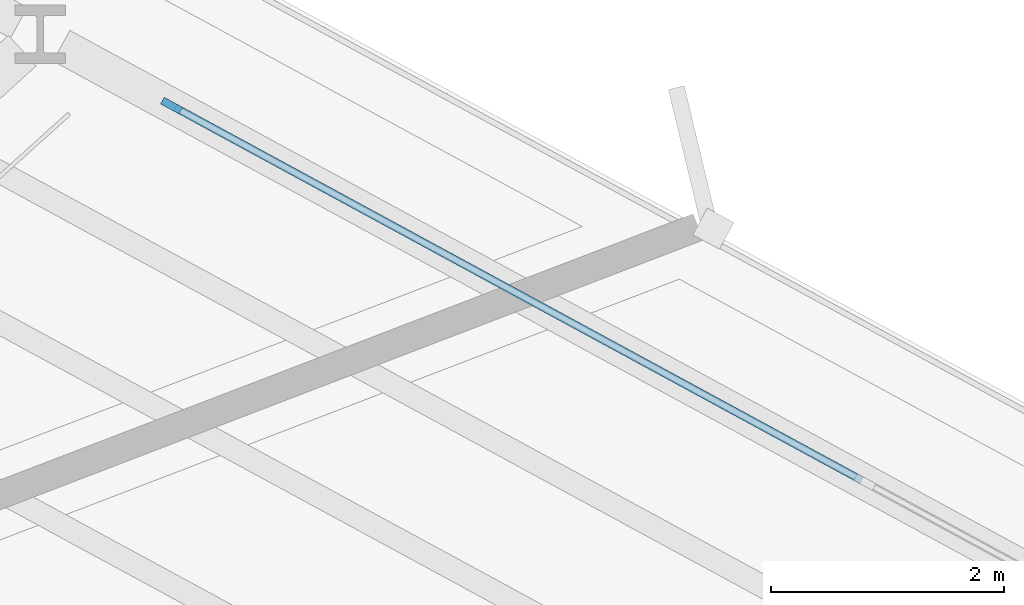
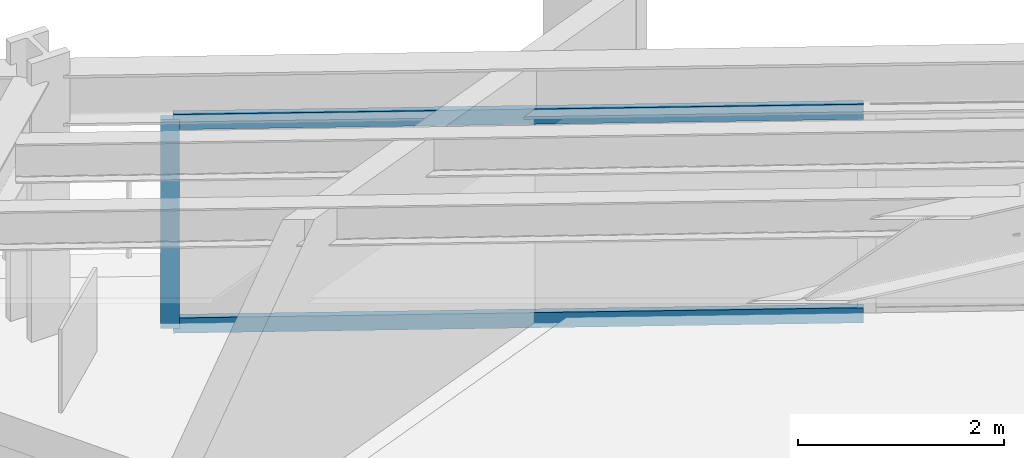
# One storey, part 6 of 14: 3 members, 1 element without a shape of its own.
"""IFC4 building model written with IfcOpenShell, lengths in metres."""

from ifc_helpers import new_model, si_unit, direction, frame, origin, origin_2d, place, context, subcontext, project, spatial, rectangle, extrude, material, layer, layer_set, material_profile, profile_set, type_object, element, aggregate, save


model = new_model("IFC4")

# Units and contexts
model_context = context("Model", 3, precision=1e-05, world=origin(), true_north=direction((0.0, 1.0)))
body_context = subcontext(model_context, "Body", "Model", "MODEL_VIEW")
ifc_project = project(units=[si_unit("LENGTHUNIT", "METRE"), si_unit("AREAUNIT", "SQUARE_METRE"), si_unit("VOLUMEUNIT", "CUBIC_METRE"), si_unit("PLANEANGLEUNIT", "RADIAN"), si_unit("MASSUNIT", "GRAM", prefix="KILO")], contexts=[model_context])

# Site, building, storey
site_placement = place(None, origin())
site = spatial("IfcSite", under=ifc_project, at=site_placement, CompositionType="ELEMENT")
building_placement = place(site_placement, origin())
building = spatial("IfcBuilding", under=site, at=building_placement, Name="Rocaltana Carrier Exchange", CompositionType="ELEMENT")
storey_placement = place(building_placement, frame((0.0, 0.0, 22.239990234375)))
storey = spatial("IfcBuildingStorey", under=building, at=storey_placement, Name="L07", CompositionType="ELEMENT", Elevation=22.239990234375)

# Curtain wall, members
ifc_material_1 = material(Name="Aluminium 6063-T6", Category="aluminium")
ifc_layer = layer(ifc_material_1, 0.179931640625)
ifc_layer_set = layer_set([ifc_layer], Name="Aluminium 6063-T6")
curtain_wall_type = type_object("IfcCurtainWallType", Name="Sandstone Spandrel Unitised Curtain Wall CW-01", PredefinedType="NOTDEFINED", material=ifc_layer_set)
curtain_wall_placement = place(storey_placement, origin())
curtain_wall = element("IfcCurtainWall", 1, at=curtain_wall_placement, inside=storey, type_object=curtain_wall_type, Name="L07 CW-01 Run CW-L07-F1S1", PredefinedType="NOTDEFINED")
ifc_material_2 = material(Name="Aluminium 6063-T6", Category="aluminium")
ifc_material_profile_1 = material_profile(ifc_material_2, rectangle(XDim=0.06494140625, YDim=0.179931640625, at=origin_2d()), Name="AL-65X180")
ifc_profile_set_1 = profile_set([ifc_material_profile_1], Name="Aluminium 6063-T6")
member_type_1 = type_object("IfcMemberType", Name="CW-01 Mullion AL-65X180", PredefinedType="MULLION", material=ifc_profile_set_1)
member_1_placement = place(storey_placement, frame((15.31884765625, 8.6552734375, 0.0), z_axis=(0.0, 0.0, 1.0), x_axis=(-0.477161473226, -0.878815639636, 0.0)))
member_1 = element("IfcMember", 2, at=member_1_placement, type_object=member_type_1, Name="CW-01 mullion 3", PredefinedType="MULLION", context=body_context, shape_type="SweptSolid", body=[
    extrude(rectangle(XDim=0.06494140625, YDim=0.179931640625, at=origin_2d()), origin(), (0.0, 0.0, 1.0), 2.47802734375),
])
ifc_material_3 = material(Name="Aluminium 6063-T6", Category="aluminium")
ifc_material_profile_2 = material_profile(ifc_material_3, rectangle(XDim=0.06494140625, YDim=0.179931640625, at=origin_2d()), Name="AL-65X180")
ifc_profile_set_2 = profile_set([ifc_material_profile_2], Name="Aluminium 6063-T6")
member_type_2 = type_object("IfcMemberType", Name="CW-01 Transom AL-65X180", PredefinedType="USERDEFINED", material=ifc_profile_set_2)
member_2_placement = place(storey_placement, frame((21.237548828125, 5.44140625, 0.032470703125), z_axis=(-0.87880717191, 0.477177068392, 0.0), x_axis=(-0.477177068392, -0.87880717191, 0.0)))
member_2 = element("IfcMember", 3, at=member_2_placement, type_object=member_type_2, Name="CW-01 transom 2.1", ObjectType="TRANSOM", PredefinedType="USERDEFINED", context=body_context, shape_type="SweptSolid", body=[
    extrude(rectangle(XDim=0.06494140625, YDim=0.179931640625, at=origin_2d()), origin(), (0.0, 0.0, 1.0), 6.702392578125),
])
member_3_placement = place(storey_placement, frame((21.237548828125, 5.44140625, 2.445556640625), z_axis=(-0.87880717191, 0.477177068392, 0.0), x_axis=(-0.477177068392, -0.87880717191, 0.0)))
member_3 = element("IfcMember", 4, at=member_3_placement, type_object=member_type_2, Name="CW-01 transom 2.2", ObjectType="TRANSOM", PredefinedType="USERDEFINED", context=body_context, shape_type="SweptSolid", body=[
    extrude(rectangle(XDim=0.06494140625, YDim=0.179931640625, at=origin_2d()), origin(), (0.0, 0.0, 1.0), 6.702392578125),
])
aggregate(curtain_wall, [member_1, member_2, member_3])

save(model, "model.ifc")
